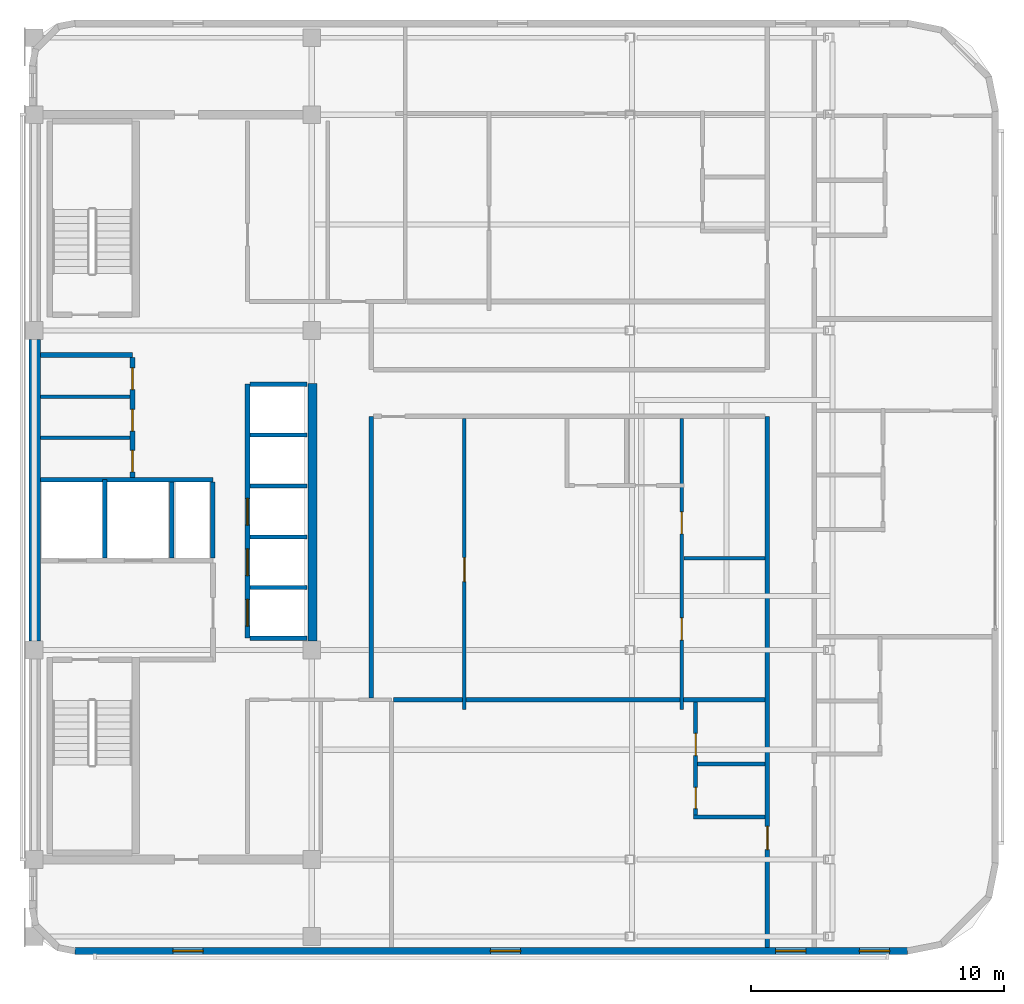
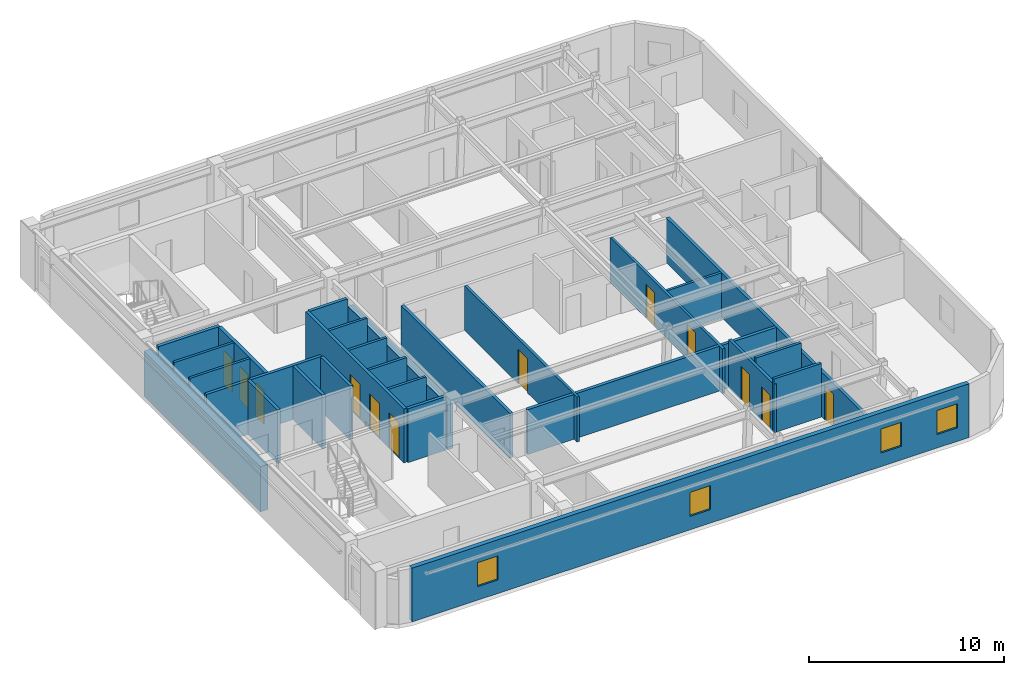
# One storey, part 4 of 10: 27 walls, 12 doors, 4 windows, 16 openings.
"""IFC4 building model written with IfcOpenShell, lengths in metres."""

import ifcopenshell
import ifcopenshell.guid

model = None  # the IFC model being written
_history = None  # IfcOwnerHistory: only IFC2X3 demands one
_inside = {}  # id of a spatial element -> (the spatial element, [elements in it])
_under = {}  # id of a project, library or spatial element -> (it, [spatial elements below it])
_declared = {}  # id of a project -> (the project, [libraries it declares])
_typed = {}  # id of a type object -> (the type object, [elements of that type])
_made_of = {}  # id of a material, layer set ... -> (it, [elements and type objects made of it])


def new_model(schema):
    """Start an empty IFC model of exactly this schema.

    Asked for "IFC4X3", IfcOpenShell would pick the latest addendum, in which some entities
    have other attributes; the version numbers below select the first issue.
    IFC2X3 requires an IfcOwnerHistory on every rooted entity: one is made here for all.
    """
    global model, _history
    if schema == "IFC4X3":
        model = ifcopenshell.file(schema_version=(4, 3, 0, 0))
    else:
        model = ifcopenshell.file(schema=schema)
    _inside.clear()
    _under.clear()
    _declared.clear()
    _typed.clear()
    _made_of.clear()
    _history = None
    if model.schema == "IFC2X3":
        org = make("IfcOrganization", Name="unknown")
        user = make(
            "IfcPersonAndOrganization",
            ThePerson=make("IfcPerson", FamilyName="unknown"),
            TheOrganization=org,
        )
        app = make(
            "IfcApplication",
            ApplicationDeveloper=org,
            Version="unknown",
            ApplicationFullName="unknown",
            ApplicationIdentifier="unknown",
        )
        _history = make(
            "IfcOwnerHistory",
            OwningUser=user,
            OwningApplication=app,
            ChangeAction="ADDED",
            CreationDate=0,
        )
    return model


def make(cls, **values):
    """One entity of the class cls with the attributes given. An attribute that is None is left unset."""
    return model.create_entity(
        cls, **{name: value for name, value in values.items() if value is not None}
    )


def rooted(cls, **values):
    """An entity with a GlobalId (a new one), such as an element, a storey or a relation."""
    return make(cls, GlobalId=ifcopenshell.guid.new(), OwnerHistory=_history, **values)


def si_unit(unit_type, name, prefix=None):
    """IfcSIUnit, for example si_unit("LENGTHUNIT", "METRE", prefix="MILLI")."""
    return make("IfcSIUnit", UnitType=unit_type, Prefix=prefix, Name=name)


def assignment(units):
    """IfcUnitAssignment: the units of a project."""
    return None if units is None else make("IfcUnitAssignment", Units=units)


def point(xyz):
    """IfcCartesianPoint."""
    return None if xyz is None else make("IfcCartesianPoint", Coordinates=xyz)


def direction(xyz):
    """IfcDirection."""
    return None if xyz is None else make("IfcDirection", DirectionRatios=xyz)


def frame(location, z_axis=None, x_axis=None):
    """IfcAxis2Placement3D, a coordinate frame: its origin and axes. An axis left out is left unset."""
    return make(
        "IfcAxis2Placement3D",
        Location=point(location),
        Axis=direction(z_axis),
        RefDirection=direction(x_axis),
    )


def frame_2d(location, x_axis=None):
    """IfcAxis2Placement2D, a coordinate frame in the plane: its origin and x axis."""
    return make(
        "IfcAxis2Placement2D", Location=point(location), RefDirection=direction(x_axis)
    )


def origin():
    """The frame at (0, 0, 0) with its axes left unset."""
    return frame((0.0, 0.0, 0.0))


def place(relative_to, where):
    """IfcLocalPlacement: puts the frame where relative to a parent placement (None: the world)."""
    return make(
        "IfcLocalPlacement", PlacementRelTo=relative_to, RelativePlacement=where
    )


def context(
    kind, dimensions, precision=None, world=None, true_north=None, identifier=None
):
    """IfcGeometricRepresentationContext, for example the 3D "Model" context."""
    return make(
        "IfcGeometricRepresentationContext",
        ContextIdentifier=identifier,
        ContextType=kind,
        CoordinateSpaceDimension=dimensions,
        Precision=precision,
        WorldCoordinateSystem=world,
        TrueNorth=true_north,
    )


def subcontext(parent, identifier, kind, view, scale=None):
    """IfcGeometricRepresentationSubContext, for example "Body" below "Model"."""
    return make(
        "IfcGeometricRepresentationSubContext",
        ContextIdentifier=identifier,
        ContextType=kind,
        ParentContext=parent,
        TargetScale=scale,
        TargetView=view,
    )


def project(units=None, contexts=None):
    """IfcProject with its units and contexts."""
    return rooted(
        "IfcProject",
        Name="project",
        RepresentationContexts=contexts,
        UnitsInContext=assignment(units),
    )


def spatial(cls, under=None, at=None, **own):
    """A site, building, storey or space (cls), placed at a placement, below another one or the project."""
    s = rooted(cls, ObjectPlacement=at, **own)
    if under is not None:
        _under.setdefault(under.id(), (under, []))[1].append(s)
    return s


def profile(cls, at=None, kind="AREA", **sizes):
    """A parametric profile (cls). Its sizes go by their IFC names, for example OverallWidth=200.0."""
    return make(cls, ProfileType=kind, Position=at, **sizes)


def rectangle(**sizes):
    """IfcRectangleProfileDef."""
    return profile("IfcRectangleProfileDef", **sizes)


def extrude(swept, where, along, depth):
    """IfcExtrudedAreaSolid: the profile swept, set in the frame where, extruded along a direction by depth."""
    return make(
        "IfcExtrudedAreaSolid",
        SweptArea=swept,
        Position=where,
        ExtrudedDirection=direction(along),
        Depth=depth,
    )


def shape(context_of_items, identifier, shape_type, items):
    """IfcShapeRepresentation: the items that make up one representation, for example the "Body"."""
    return make(
        "IfcShapeRepresentation",
        ContextOfItems=context_of_items,
        RepresentationIdentifier=identifier,
        RepresentationType=shape_type,
        Items=items,
    )


def material(Name=None, Category=None):
    """IfcMaterial."""
    return make("IfcMaterial", Name=Name, Category=Category)


def layer(
    of_material, thickness, ventilated=None, Name=None, Category=None, Priority=None
):
    """IfcMaterialLayer: one layer of a wall or slab, of a material (None: an air gap)."""
    return make(
        "IfcMaterialLayer",
        Material=of_material,
        LayerThickness=thickness,
        IsVentilated=ventilated,
        Name=Name,
        Category=Category,
        Priority=Priority,
    )


def layer_set(layers, Name=None):
    """IfcMaterialLayerSet."""
    return make("IfcMaterialLayerSet", MaterialLayers=layers, LayerSetName=Name)


def made_of(thing, what):
    """Note that an element or type object is made of a material, layer set ...; save() writes the relation."""
    if what is not None:
        _made_of.setdefault(what.id(), (what, []))[1].append(thing)
    return thing


def type_object(cls, material=None, **own):
    """A type object (cls), such as IfcWallType, which elements share."""
    return made_of(rooted(cls, **own), material)


def element(
    cls,
    number,
    at=None,
    inside=None,
    cuts=None,
    type_object=None,
    material=None,
    context=None,
    identifier="Body",
    shape_type=None,
    held_by="IfcProductDefinitionShape",
    body=None,
    shapes=None,
    **own,
):
    """One element of the class cls, such as IfcWall. Its Tag is "e" and its number.

    at: its placement. inside: the storey or other place that contains it. cuts: it is an
    opening in that element (IfcRelVoidsElement). A single representation is given by context,
    identifier, shape_type and body (its items); several are given by shapes. held_by: the class
    of the entity that holds the representations. save() writes the other relations.
    """
    e = rooted(cls, Tag="e%d" % number, ObjectPlacement=at, **own)
    if body is not None:
        shapes = [shape(context, identifier, shape_type, body)]
    if shapes is not None:
        e.Representation = make(held_by, Representations=shapes)
    if inside is not None:
        _inside.setdefault(inside.id(), (inside, []))[1].append(e)
    if cuts is not None:
        rooted(
            "IfcRelVoidsElement", RelatingBuildingElement=cuts, RelatedOpeningElement=e
        )
    if type_object is not None:
        _typed.setdefault(type_object.id(), (type_object, []))[1].append(e)
    return made_of(e, material)


def fill(opening, filler):
    """IfcRelFillsElement: the door or window that sits in an opening."""
    return rooted(
        "IfcRelFillsElement",
        RelatingOpeningElement=opening,
        RelatedBuildingElement=filler,
    )


def aggregate(whole, parts):
    """IfcRelAggregates: a whole, such as a stair, and the parts it consists of."""
    return rooted("IfcRelAggregates", RelatingObject=whole, RelatedObjects=parts)


def save(model, path):
    """Write the relations noted so far, then the file.

    IfcRelAggregates (storeys below a building ...), IfcRelContainedInSpatialStructure (elements
    in a storey), IfcRelDefinesByType, IfcRelAssociatesMaterial and IfcRelDeclares: one each for
    every whole, place, type object, material and project.
    """
    for whole, parts in _under.values():
        aggregate(whole, parts)
    for where, things in _inside.values():
        rooted(
            "IfcRelContainedInSpatialStructure",
            RelatedElements=things,
            RelatingStructure=where,
        )
    for kind, things in _typed.values():
        rooted("IfcRelDefinesByType", RelatedObjects=things, RelatingType=kind)
    for what, things in _made_of.values():
        rooted("IfcRelAssociatesMaterial", RelatedObjects=things, RelatingMaterial=what)
    for by, libraries in _declared.values():
        rooted("IfcRelDeclares", RelatingContext=by, RelatedDefinitions=libraries)
    model.write(path)


model = new_model("IFC4")

# Units and contexts
model_context = context("Model", 3, precision=1e-05, world=origin(), true_north=direction((0.0, 1.0)))
body_context = subcontext(model_context, "Body", "Model", "MODEL_VIEW")
ifc_project = project(units=[si_unit("LENGTHUNIT", "METRE"), si_unit("AREAUNIT", "SQUARE_METRE"), si_unit("VOLUMEUNIT", "CUBIC_METRE"), si_unit("PLANEANGLEUNIT", "RADIAN"), si_unit("MASSUNIT", "GRAM", prefix="KILO")], contexts=[model_context])

# Site, building, storey
site_placement = place(None, origin())
site = spatial("IfcSite", under=ifc_project, at=site_placement, CompositionType="ELEMENT")
building_placement = place(site_placement, origin())
building = spatial("IfcBuilding", under=site, at=building_placement, Name="Ochreholt Gables", CompositionType="ELEMENT")
storey_placement = place(building_placement, frame((0.0, 0.0, 223.800048828125)))
storey = spatial("IfcBuildingStorey", under=building, at=storey_placement, Name="L58", CompositionType="ELEMENT", Elevation=223.800048828125)

# Walls
ifc_material_1 = material(Name="Concrete 50 MPa", Category="concrete")
ifc_layer_1 = layer(ifc_material_1, 0.35009765625, Name="Concrete 50 MPa")
ifc_layer_set_1 = layer_set([ifc_layer_1], Name="Concrete 50 MPa")
wall_type_1 = type_object("IfcWallType", Name="WALL-CSW-350", PredefinedType="SHEAR", material=ifc_layer_set_1)
wall_1_placement = place(storey_placement, frame((35.22509765625, 17.89990234375, 0.0), z_axis=(0.0, 0.0, 1.0), x_axis=(0.0, 1.0, 0.0)))
element("IfcWall", 1, at=wall_1_placement, inside=storey, type_object=wall_type_1, Name="L58 Core Central-East Shear Wall", PredefinedType="SHEAR", context=body_context, shape_type="SweptSolid", body=[
    extrude(rectangle(XDim=10.2001953125, YDim=0.35009765625, at=frame_2d((5.10009765625, 0.0))), origin(), (0.0, 0.0, 1.0), 2.821044921875),
])
ifc_layer_2 = layer(ifc_material_1, 0.449951171875, Name="Concrete 50 MPa")
ifc_layer_set_2 = layer_set([ifc_layer_2], Name="Concrete 50 MPa")
wall_type_2 = type_object("IfcWallType", Name="WALL-CSW-EXT", PredefinedType="SHEAR", material=ifc_layer_set_2)
wall_2_placement = place(storey_placement, frame((24.22509765625, 17.89990234375, 0.0), z_axis=(0.0, 0.0, 1.0), x_axis=(0.0, 1.0, 0.0)))
element("IfcWall", 2, at=wall_2_placement, inside=storey, type_object=wall_type_2, Name="L58 Core West Shear Wall WM", PredefinedType="SHEAR", context=body_context, shape_type="SweptSolid", body=[
    extrude(rectangle(XDim=11.9501953125, YDim=0.449951171875, at=frame_2d((5.97509765625, 0.0))), origin(), (0.0, 0.0, 1.0), 2.821044921875),
])

# Wall, openings, windows
ifc_material_2 = material(Name="Precast concrete 40 MPa", Category="concrete")
ifc_layer_3 = layer(ifc_material_2, 0.27001953125, Name="Precast concrete 40 MPa")
ifc_layer_set_3 = layer_set([ifc_layer_3], Name="Precast concrete 40 MPa")
wall_type_3 = type_object("IfcWallType", Name="WALL-EXT-270", PredefinedType="SOLIDWALL", material=ifc_layer_set_3)
wall_3_placement = place(storey_placement, frame((25.820068359375, 5.635009765625, 0.0), z_axis=(0.0, 0.0, 1.0), x_axis=(1.0, 0.0, 0.0)))
wall_3 = element("IfcWall", 3, at=wall_3_placement, inside=storey, type_object=wall_type_3, Name="L58 South Exterior Wall", PredefinedType="SOLIDWALL", context=body_context, shape_type="SweptSolid", body=[
    extrude(rectangle(XDim=32.9599609375, YDim=0.27001953125, at=frame_2d((16.47998046875, 0.0))), origin(), (0.0, 0.0, 1.0), 3.35986328125),
])
opening_1_placement = place(wall_3_placement, frame((3.8701171875, 0.0, 0.85009765625)))
opening_1 = element("IfcOpeningElement", 4, at=opening_1_placement, cuts=wall_3, Name="Opening WN-3", PredefinedType="OPENING", context=body_context, shape_type="SweptSolid", body=[
    extrude(rectangle(XDim=1.199951171875, YDim=1.5, at=frame_2d((0.60009765625, 0.75))), frame((0.0, 0.14501953125, 0.0), z_axis=(0.0, -1.0, 0.0), x_axis=(1.0, 0.0, 0.0)), (0.0, 0.0, 1.0), 0.2900390625),
])
opening_2_placement = place(wall_3_placement, frame((16.450927734375, 0.0, 0.85009765625)))
opening_2 = element("IfcOpeningElement", 5, at=opening_2_placement, cuts=wall_3, Name="Opening WN-3", PredefinedType="OPENING", context=body_context, shape_type="SweptSolid", body=[
    extrude(rectangle(XDim=1.199951171875, YDim=1.5, at=frame_2d((0.60009765625, 0.75))), frame((0.0, 0.14501953125, 0.0), z_axis=(0.0, -1.0, 0.0), x_axis=(1.0, 0.0, 0.0)), (0.0, 0.0, 1.0), 0.2900390625),
])
opening_3_placement = place(wall_3_placement, frame((27.74658203125, 0.0, 0.85009765625)))
opening_3 = element("IfcOpeningElement", 6, at=opening_3_placement, cuts=wall_3, Name="Opening WN-3", PredefinedType="OPENING", context=body_context, shape_type="SweptSolid", body=[
    extrude(rectangle(XDim=1.199951171875, YDim=1.5, at=frame_2d((0.60009765625, 0.75))), frame((0.0, 0.14501953125, 0.0), z_axis=(0.0, -1.0, 0.0), x_axis=(1.0, 0.0, 0.0)), (0.0, 0.0, 1.0), 0.2900390625),
])
opening_4_placement = place(wall_3_placement, frame((31.060791015625, 0.0, 0.85009765625)))
opening_4 = element("IfcOpeningElement", 7, at=opening_4_placement, cuts=wall_3, Name="Opening WN-3", PredefinedType="OPENING", context=body_context, shape_type="SweptSolid", body=[
    extrude(rectangle(XDim=1.199951171875, YDim=1.5, at=frame_2d((0.60009765625, 0.75))), frame((0.0, 0.14501953125, 0.0), z_axis=(0.0, -1.0, 0.0), x_axis=(1.0, 0.0, 0.0)), (0.0, 0.0, 1.0), 0.2900390625),
])
ifc_material_3 = material(Name="Triple-Glazed Thermally Broken Aluminium Window", Category="aluminium")
window_type = type_object("IfcWindowType", Name="WIN-RES-1200", PartitioningType="SINGLE_PANEL", PredefinedType="WINDOW", material=ifc_material_3)
window_1_placement = place(opening_1_placement, origin())
window_1 = element("IfcWindow", 8, at=window_1_placement, inside=storey, type_object=window_type, Name="L58 Window W-EXT-S-L58-1", OverallHeight=1.5, OverallWidth=1.199951171875, PartitioningType="SINGLE_PANEL", PredefinedType="WINDOW", context=body_context, shape_type="SweptSolid", body=[
    extrude(rectangle(XDim=1.199951171875, YDim=1.5, at=frame_2d((0.60009765625, 0.75))), frame((0.0, 0.030029296875, 0.0), z_axis=(0.0, -1.0, 0.0), x_axis=(1.0, 0.0, 0.0)), (0.0, 0.0, 1.0), 0.06005859375),
])
fill(opening_1, window_1)
window_2_placement = place(opening_2_placement, origin())
window_2 = element("IfcWindow", 9, at=window_2_placement, inside=storey, type_object=window_type, Name="L58 Window W-EXT-S-L58-2", OverallHeight=1.5, OverallWidth=1.199951171875, PartitioningType="SINGLE_PANEL", PredefinedType="WINDOW", context=body_context, shape_type="SweptSolid", body=[
    extrude(rectangle(XDim=1.199951171875, YDim=1.5, at=frame_2d((0.60009765625, 0.75))), frame((0.0, 0.030029296875, 0.0), z_axis=(0.0, -1.0, 0.0), x_axis=(1.0, 0.0, 0.0)), (0.0, 0.0, 1.0), 0.06005859375),
])
fill(opening_2, window_2)
window_3_placement = place(opening_3_placement, origin())
window_3 = element("IfcWindow", 10, at=window_3_placement, inside=storey, type_object=window_type, Name="L58 Window W-EXT-S-L58-3", OverallHeight=1.5, OverallWidth=1.199951171875, PartitioningType="SINGLE_PANEL", PredefinedType="WINDOW", context=body_context, shape_type="SweptSolid", body=[
    extrude(rectangle(XDim=1.199951171875, YDim=1.5, at=frame_2d((0.60009765625, 0.75))), frame((0.0, 0.030029296875, 0.0), z_axis=(0.0, -1.0, 0.0), x_axis=(1.0, 0.0, 0.0)), (0.0, 0.0, 1.0), 0.06005859375),
])
fill(opening_3, window_3)
window_4_placement = place(opening_4_placement, origin())
window_4 = element("IfcWindow", 11, at=window_4_placement, inside=storey, type_object=window_type, Name="L58 Window W-EXT-S-L58-4", OverallHeight=1.5, OverallWidth=1.199951171875, PartitioningType="SINGLE_PANEL", PredefinedType="WINDOW", context=body_context, shape_type="SweptSolid", body=[
    extrude(rectangle(XDim=1.199951171875, YDim=1.5, at=frame_2d((0.60009765625, 0.75))), frame((0.0, 0.030029296875, 0.0), z_axis=(0.0, -1.0, 0.0), x_axis=(1.0, 0.0, 0.0)), (0.0, 0.0, 1.0), 0.06005859375),
])
fill(opening_4, window_4)

# Wall
ifc_material_4 = material(Name="Concrete 40 MPa", Category="concrete")
ifc_layer_4 = layer(ifc_material_4, 0.199951171875, Name="Concrete 40 MPa")
ifc_layer_set_4 = layer_set([ifc_layer_4], Name="Concrete 40 MPa")
wall_type_4 = type_object("IfcWallType", Name="WALL-INT-CF200", PredefinedType="STANDARD", material=ifc_layer_set_4)
wall_4_placement = place(storey_placement, frame((24.449951171875, 29.239990234375, 0.0), z_axis=(0.0, 0.0, 1.0), x_axis=(1.0, 0.0, 0.0)))
element("IfcWall", 12, at=wall_4_placement, inside=storey, type_object=wall_type_4, Name="L58 Interior Wall WI-SRVN-L58", PredefinedType="STANDARD", context=body_context, shape_type="SweptSolid", body=[
    extrude(rectangle(XDim=3.650146484375, YDim=0.199951171875, at=frame_2d((1.8251953125, 0.0))), origin(), (0.0, 0.0, 1.0), 3.35986328125),
])

# Wall, openings, doors
wall_5_placement = place(storey_placement, frame((28.10009765625, 24.389892578125, 0.0), z_axis=(0.0, 0.0, 1.0), x_axis=(0.0, 1.0, 0.0)))
wall_5 = element("IfcWall", 13, at=wall_5_placement, inside=storey, type_object=wall_type_4, Name="L58 Interior Wall WI-SRVE-L58", PredefinedType="STANDARD", context=body_context, shape_type="SweptSolid", body=[
    extrude(rectangle(XDim=4.75, YDim=0.199951171875, at=frame_2d((2.375, 0.0))), origin(), (0.0, 0.0, 1.0), 3.35986328125),
])
opening_5_placement = place(wall_5_placement, frame((0.2099609375, 0.0, 0.0)))
opening_5 = element("IfcOpeningElement", 14, at=opening_5_placement, cuts=wall_5, Name="Opening D-SV2", PredefinedType="OPENING", context=body_context, shape_type="SweptSolid", body=[
    extrude(rectangle(XDim=0.860107421875, YDim=2.10009765625, at=frame_2d((0.43017578125, 1.050048828125))), frame((0.0, 0.10986328125, 0.0), z_axis=(0.0, -1.0, 0.0), x_axis=(1.0, 0.0, 0.0)), (0.0, 0.0, 1.0), 0.219970703125),
])
opening_6_placement = place(wall_5_placement, frame((1.830078125, 0.0, 0.0)))
opening_6 = element("IfcOpeningElement", 15, at=opening_6_placement, cuts=wall_5, Name="Opening D-SV2", PredefinedType="OPENING", context=body_context, shape_type="SweptSolid", body=[
    extrude(rectangle(XDim=0.860107421875, YDim=2.10009765625, at=frame_2d((0.43017578125, 1.050048828125))), frame((0.0, 0.10986328125, 0.0), z_axis=(0.0, -1.0, 0.0), x_axis=(1.0, 0.0, 0.0)), (0.0, 0.0, 1.0), 0.219970703125),
])
opening_7_placement = place(wall_5_placement, frame((3.469970703125, 0.0, 0.0)))
opening_7 = element("IfcOpeningElement", 16, at=opening_7_placement, cuts=wall_5, Name="Opening D-SV2", PredefinedType="OPENING", context=body_context, shape_type="SweptSolid", body=[
    extrude(rectangle(XDim=0.860107421875, YDim=2.10009765625, at=frame_2d((0.43017578125, 1.050048828125))), frame((0.0, 0.10986328125, 0.0), z_axis=(0.0, -1.0, 0.0), x_axis=(1.0, 0.0, 0.0)), (0.0, 0.0, 1.0), 0.219970703125),
])
ifc_material_5 = material(Name="Hollow Metal Steel", Category="steel")
door_type_1 = type_object("IfcDoorType", Name="DR-INT-SRV860", OperationType="NOTDEFINED", PredefinedType="DOOR", material=ifc_material_5)
door_1_placement = place(opening_5_placement, origin())
door_1 = element("IfcDoor", 17, at=door_1_placement, inside=storey, type_object=door_type_1, Name="L58 Door D-SRV1-L58", OperationType="SINGLE_SWING_LEFT", OverallHeight=2.10009765625, OverallWidth=0.860107421875, PredefinedType="DOOR", context=body_context, shape_type="SweptSolid", body=[
    extrude(rectangle(XDim=0.860107421875, YDim=2.10009765625, at=frame_2d((0.43017578125, 1.050048828125))), frame((0.0, 0.02490234375, 0.0), z_axis=(0.0, -1.0, 0.0), x_axis=(1.0, 0.0, 0.0)), (0.0, 0.0, 1.0), 0.050048828125),
])
fill(opening_5, door_1)
door_2_placement = place(opening_6_placement, origin())
door_2 = element("IfcDoor", 18, at=door_2_placement, inside=storey, type_object=door_type_1, Name="L58 Door D-SRV2-L58", OperationType="SINGLE_SWING_RIGHT", OverallHeight=2.10009765625, OverallWidth=0.860107421875, PredefinedType="DOOR", context=body_context, shape_type="SweptSolid", body=[
    extrude(rectangle(XDim=0.860107421875, YDim=2.10009765625, at=frame_2d((0.43017578125, 1.050048828125))), frame((0.0, 0.02490234375, 0.0), z_axis=(0.0, -1.0, 0.0), x_axis=(1.0, 0.0, 0.0)), (0.0, 0.0, 1.0), 0.050048828125),
])
fill(opening_6, door_2)
door_3_placement = place(opening_7_placement, origin())
door_3 = element("IfcDoor", 19, at=door_3_placement, inside=storey, type_object=door_type_1, Name="L58 Door D-SRV3-L58", OperationType="SINGLE_SWING_LEFT", OverallHeight=2.10009765625, OverallWidth=0.860107421875, PredefinedType="DOOR", context=body_context, shape_type="SweptSolid", body=[
    extrude(rectangle(XDim=0.860107421875, YDim=2.10009765625, at=frame_2d((0.43017578125, 1.050048828125))), frame((0.0, 0.02490234375, 0.0), z_axis=(0.0, -1.0, 0.0), x_axis=(1.0, 0.0, 0.0)), (0.0, 0.0, 1.0), 0.050048828125),
])
fill(opening_7, door_3)

# Wall
ifc_material_6 = material(Name="Fire-Rated Gypsum Acoustic Partition", Category="gypsum")
ifc_layer_5 = layer(ifc_material_6, 0.179931640625, Name="Fire-Rated Gypsum Acoustic Partition")
ifc_layer_set_5 = layer_set([ifc_layer_5], Name="Fire-Rated Gypsum Acoustic Partition")
wall_type_5 = type_object("IfcWallType", Name="WALL-INT-CR180", PredefinedType="STANDARD", material=ifc_layer_set_5)
wall_6_placement = place(storey_placement, frame((37.550048828125, 15.652587890625, 0.0), z_axis=(0.0, 0.0, 1.0), x_axis=(0.0, 1.0, 0.0)))
element("IfcWall", 20, at=wall_6_placement, inside=storey, type_object=wall_type_5, Name="L58 Interior Wall WI-C3CE0-L58", PredefinedType="STANDARD", context=body_context, shape_type="SweptSolid", body=[
    extrude(rectangle(XDim=11.1474609375, YDim=0.179931640625, at=frame_2d((5.57373046875, 0.0))), origin(), (0.0, 0.0, 1.0), 2.802978515625),
])

# Wall, opening, door
wall_7_placement = place(storey_placement, frame((53.24169921875, 5.77001953125, 0.0), z_axis=(0.0, 0.0, 1.0), x_axis=(0.0, 1.0, 0.0)))
wall_7 = element("IfcWall", 21, at=wall_7_placement, inside=storey, type_object=wall_type_5, Name="L58 Interior Wall WI-C3GW0-L58", PredefinedType="STANDARD", context=body_context, shape_type="SweptSolid", body=[
    extrude(rectangle(XDim=21.030029296875, YDim=0.179931640625, at=frame_2d((10.51513671875, 0.0))), origin(), (0.0, 0.0, 1.0), 2.802978515625),
])
opening_8_placement = place(wall_7_placement, frame((3.8701171875, 0.0, 0.0)))
opening_8 = element("IfcOpeningElement", 22, at=opening_8_placement, cuts=wall_7, Name="Opening D-UN1", PredefinedType="OPENING", context=body_context, shape_type="SweptSolid", body=[
    extrude(rectangle(XDim=0.919921875, YDim=2.14990234375, at=frame_2d((0.4599609375, 1.074951171875))), frame((0.0, 0.099853515625, 0.0), z_axis=(0.0, -1.0, 0.0), x_axis=(1.0, 0.0, 0.0)), (0.0, 0.0, 1.0), 0.199951171875),
])
ifc_material_7 = material(Name="Engineered Oak Timber", Category="wood")
door_type_2 = type_object("IfcDoorType", Name="DR-INT-UNT920", OperationType="NOTDEFINED", PredefinedType="DOOR", material=ifc_material_7)
door_4_placement = place(opening_8_placement, origin())
door_4 = element("IfcDoor", 23, at=door_4_placement, inside=storey, type_object=door_type_2, Name="L58 Door D-U-L58SM1-ENT", OperationType="SINGLE_SWING_LEFT", OverallHeight=2.14990234375, OverallWidth=0.919921875, PredefinedType="DOOR", context=body_context, shape_type="SweptSolid", body=[
    extrude(rectangle(XDim=0.919921875, YDim=2.14990234375, at=frame_2d((0.4599609375, 1.074951171875))), frame((0.0, 0.02490234375, 0.0), z_axis=(0.0, -1.0, 0.0), x_axis=(1.0, 0.0, 0.0)), (0.0, 0.0, 1.0), 0.050048828125),
])
fill(opening_8, door_4)

# Walls
ifc_material_8 = material(Name="Double-Stud Acoustic Demising Wall", Category="gypsum")
ifc_layer_6 = layer(ifc_material_8, 0.18505859375, Name="Double-Stud Acoustic Demising Wall")
ifc_layer_set_6 = layer_set([ifc_layer_6], Name="Double-Stud Acoustic Demising Wall")
wall_type_6 = type_object("IfcWallType", Name="WALL-INT-DM185", PredefinedType="PARTITIONING", material=ifc_layer_set_6)
wall_8_placement = place(storey_placement, frame((38.422607421875, 15.580078125, 0.0), z_axis=(0.0, 0.0, 1.0), x_axis=(1.0, 0.0, 0.0)))
element("IfcWall", 24, at=wall_8_placement, inside=storey, type_object=wall_type_6, Name="L58 Interior Wall WI-C3SMY-L58", PredefinedType="PARTITIONING", context=body_context, shape_type="SweptSolid", body=[
    extrude(rectangle(XDim=14.72900390625, YDim=0.18505859375, at=frame_2d((7.364501953125, 0.0))), origin(), (0.0, 0.0, 1.0), 2.802978515625),
])
ifc_material_9 = material(Name="Moisture-Resistant Plumbing Chase Wall", Category="gypsum")
ifc_layer_7 = layer(ifc_material_9, 0.159912109375, Name="Moisture-Resistant Plumbing Chase Wall")
ifc_layer_set_7 = layer_set([ifc_layer_7], Name="Moisture-Resistant Plumbing Chase Wall")
wall_type_7 = type_object("IfcWallType", Name="WALL-INT-PL160", PredefinedType="PLUMBINGWALL", material=ifc_layer_set_7)
wall_9_placement = place(storey_placement, frame((50.317626953125, 10.93994140625, 0.0), z_axis=(0.0, 0.0, 1.0), x_axis=(1.0, 0.0, 0.0)))
element("IfcWall", 25, at=wall_9_placement, inside=storey, type_object=wall_type_7, Name="L58 Interior Wall WU-L58SM1-WYS", PredefinedType="PLUMBINGWALL", context=body_context, shape_type="SweptSolid", body=[
    extrude(rectangle(XDim=2.833984375, YDim=0.159912109375, at=frame_2d((1.4169921875, 0.0))), origin(), (0.0, 0.0, 1.0), 3.35986328125),
])

# Wall, openings, doors
wall_10_placement = place(storey_placement, frame((50.397705078125, 10.85009765625, 0.0), z_axis=(0.0, 0.0, 1.0), x_axis=(0.0, 1.0, 0.0)))
wall_10 = element("IfcWall", 26, at=wall_10_placement, inside=storey, type_object=wall_type_7, Name="L58 Interior Wall WU-L58SM1-WX", PredefinedType="PLUMBINGWALL", context=body_context, shape_type="SweptSolid", body=[
    extrude(rectangle(XDim=4.637451171875, YDim=0.159912109375, at=frame_2d((2.31884765625, 0.0))), origin(), (0.0, 0.0, 1.0), 3.0390625),
])
opening_9_placement = place(wall_10_placement, frame((0.419921875, 0.0, 0.0)))
opening_9 = element("IfcOpeningElement", 27, at=opening_9_placement, cuts=wall_10, Name="Opening D-BT2", PredefinedType="OPENING", context=body_context, shape_type="SweptSolid", body=[
    extrude(rectangle(XDim=0.840087890625, YDim=2.1201171875, at=frame_2d((0.419921875, 1.06005859375))), frame((0.0, 0.08984375, 0.0), z_axis=(0.0, -1.0, 0.0), x_axis=(1.0, 0.0, 0.0)), (0.0, 0.0, 1.0), 0.179931640625),
])
opening_10_placement = place(wall_10_placement, frame((2.512939453125, 0.0, 0.0)))
opening_10 = element("IfcOpeningElement", 28, at=opening_10_placement, cuts=wall_10, Name="Opening D-GN2", PredefinedType="OPENING", context=body_context, shape_type="SweptSolid", body=[
    extrude(rectangle(XDim=0.8798828125, YDim=2.1201171875, at=frame_2d((0.43994140625, 1.06005859375))), frame((0.0, 0.08984375, 0.0), z_axis=(0.0, -1.0, 0.0), x_axis=(1.0, 0.0, 0.0)), (0.0, 0.0, 1.0), 0.179931640625),
])
door_type_3 = type_object("IfcDoorType", Name="DR-INT-BTH840", OperationType="NOTDEFINED", PredefinedType="DOOR", material=ifc_material_7)
door_5_placement = place(opening_9_placement, origin())
door_5 = element("IfcDoor", 29, at=door_5_placement, inside=storey, type_object=door_type_3, Name="L58 Door D-U-L58SM1-BTH", OperationType="SINGLE_SWING_RIGHT", OverallHeight=2.1201171875, OverallWidth=0.840087890625, PredefinedType="DOOR", context=body_context, shape_type="SweptSolid", body=[
    extrude(rectangle(XDim=0.840087890625, YDim=2.1201171875, at=frame_2d((0.419921875, 1.06005859375))), frame((0.0, 0.02490234375, 0.0), z_axis=(0.0, -1.0, 0.0), x_axis=(1.0, 0.0, 0.0)), (0.0, 0.0, 1.0), 0.050048828125),
])
fill(opening_9, door_5)
door_type_4 = type_object("IfcDoorType", Name="DR-INT-GEN880", OperationType="NOTDEFINED", PredefinedType="DOOR", material=ifc_material_7)
door_6_placement = place(opening_10_placement, origin())
door_6 = element("IfcDoor", 30, at=door_6_placement, inside=storey, type_object=door_type_4, Name="L58 Door D-U-L58SM1-KIT", OperationType="SINGLE_SWING_LEFT", OverallHeight=2.1201171875, OverallWidth=0.8798828125, PredefinedType="DOOR", context=body_context, shape_type="SweptSolid", body=[
    extrude(rectangle(XDim=0.8798828125, YDim=2.1201171875, at=frame_2d((0.43994140625, 1.06005859375))), frame((0.0, 0.02490234375, 0.0), z_axis=(0.0, -1.0, 0.0), x_axis=(1.0, 0.0, 0.0)), (0.0, 0.0, 1.0), 0.050048828125),
])
fill(opening_10, door_6)

# Walls
wall_11_placement = place(storey_placement, frame((50.4775390625, 13.032958984375, 0.0), z_axis=(0.0, 0.0, 1.0), x_axis=(1.0, 0.0, 0.0)))
element("IfcWall", 31, at=wall_11_placement, inside=storey, type_object=wall_type_7, Name="L58 Interior Wall WU-L58SM1-WM", PredefinedType="PLUMBINGWALL", context=body_context, shape_type="SweptSolid", body=[
    extrude(rectangle(XDim=2.674072265625, YDim=0.159912109375, at=frame_2d((1.3369140625, 0.0))), origin(), (0.0, 0.0, 1.0), 3.35986328125),
])
ifc_material_10 = material(Name="Lightweight Stud Partition", Category="gypsum")
ifc_layer_8 = layer(ifc_material_10, 0.14501953125, Name="Lightweight Stud Partition")
ifc_layer_set_8 = layer_set([ifc_layer_8], Name="Lightweight Stud Partition")
wall_type_8 = type_object("IfcWallType", Name="WALL-INT-PT145", PredefinedType="PARTITIONING", material=ifc_layer_set_8)
for number, where, z_axis, x_axis, name in (
    (32, (24.449951171875, 25.949951171875, 0.0), (0.0, 0.0, 1.0), (1.0, 0.0, 0.0), "L58 Interior Wall WI-SRVP1-L58"),
    (33, (24.449951171875, 27.580078125, 0.0), (0.0, 0.0, 1.0), (1.0, 0.0, 0.0), "L58 Interior Wall WI-SRVP2-L58"),
):
    element("IfcWall", number, at=place(storey_placement, frame(where, z_axis=z_axis, x_axis=x_axis)), inside=storey, type_object=wall_type_8, Name=name, PredefinedType="PARTITIONING", context=body_context, shape_type="SweptSolid", body=[
        extrude(rectangle(XDim=3.550048828125, YDim=0.14501953125, at=frame_2d((1.77490234375, 0.0))), origin(), (0.0, 0.0, 1.0), 3.35986328125),
    ])

# Wall, openings, doors
wall_12_placement = place(storey_placement, frame((49.8515625, 15.18994140625, 0.0), z_axis=(0.0, 0.0, 1.0), x_axis=(0.0, 1.0, 0.0)))
wall_12 = element("IfcWall", 34, at=wall_12_placement, inside=storey, type_object=wall_type_8, Name="L58 Interior Wall WU-L58SM2-MNX", PredefinedType="PARTITIONING", context=body_context, shape_type="SweptSolid", body=[
    extrude(rectangle(XDim=11.52001953125, YDim=0.14501953125, at=frame_2d((5.760009765625, 0.0))), origin(), (0.0, 0.0, 1.0), 2.802978515625),
])
opening_11_placement = place(wall_12_placement, frame((2.7548828125, 0.0, 0.0)))
opening_11 = element("IfcOpeningElement", 35, at=opening_11_placement, cuts=wall_12, Name="Opening D-BD2", PredefinedType="OPENING", context=body_context, shape_type="SweptSolid", body=[
    extrude(rectangle(XDim=0.8798828125, YDim=2.139892578125, at=frame_2d((0.43994140625, 1.06982421875))), frame((0.0, 0.08251953125, 0.0), z_axis=(0.0, -1.0, 0.0), x_axis=(1.0, 0.0, 0.0)), (0.0, 0.0, 1.0), 0.1650390625),
])
opening_12_placement = place(wall_12_placement, frame((6.955078125, 0.0, 0.0)))
opening_12 = element("IfcOpeningElement", 36, at=opening_12_placement, cuts=wall_12, Name="Opening D-GN2", PredefinedType="OPENING", context=body_context, shape_type="SweptSolid", body=[
    extrude(rectangle(XDim=0.8798828125, YDim=2.1201171875, at=frame_2d((0.43994140625, 1.06005859375))), frame((0.0, 0.08251953125, 0.0), z_axis=(0.0, -1.0, 0.0), x_axis=(1.0, 0.0, 0.0)), (0.0, 0.0, 1.0), 0.1650390625),
])
door_type_5 = type_object("IfcDoorType", Name="DR-INT-BED880", OperationType="NOTDEFINED", PredefinedType="DOOR", material=ifc_material_7)
door_7_placement = place(opening_11_placement, origin())
door_7 = element("IfcDoor", 37, at=door_7_placement, inside=storey, type_object=door_type_5, Name="L58 Door D-U-L58SM2-BD1", OperationType="SINGLE_SWING_LEFT", OverallHeight=2.139892578125, OverallWidth=0.8798828125, PredefinedType="DOOR", context=body_context, shape_type="SweptSolid", body=[
    extrude(rectangle(XDim=0.8798828125, YDim=2.139892578125, at=frame_2d((0.43994140625, 1.06982421875))), frame((0.0, 0.02490234375, 0.0), z_axis=(0.0, -1.0, 0.0), x_axis=(1.0, 0.0, 0.0)), (0.0, 0.0, 1.0), 0.050048828125),
])
fill(opening_11, door_7)
door_8_placement = place(opening_12_placement, origin())
door_8 = element("IfcDoor", 38, at=door_8_placement, inside=storey, type_object=door_type_4, Name="L58 Door D-U-L58SM2-BD2", OperationType="SINGLE_SWING_RIGHT", OverallHeight=2.1201171875, OverallWidth=0.8798828125, PredefinedType="DOOR", context=body_context, shape_type="SweptSolid", body=[
    extrude(rectangle(XDim=0.8798828125, YDim=2.1201171875, at=frame_2d((0.43994140625, 1.06005859375))), frame((0.0, 0.02490234375, 0.0), z_axis=(0.0, -1.0, 0.0), x_axis=(1.0, 0.0, 0.0)), (0.0, 0.0, 1.0), 0.050048828125),
])
fill(opening_12, door_8)

# Wall, opening, door
wall_13_placement = place(storey_placement, frame((41.239990234375, 15.18994140625, 0.0), z_axis=(0.0, 0.0, 1.0), x_axis=(0.0, 1.0, 0.0)))
wall_13 = element("IfcWall", 39, at=wall_13_placement, inside=storey, type_object=wall_type_8, Name="L58 Interior Wall WU-L58SM2-DNX", PredefinedType="PARTITIONING", context=body_context, shape_type="SweptSolid", body=[
    extrude(rectangle(XDim=11.52001953125, YDim=0.14501953125, at=frame_2d((5.760009765625, 0.0))), origin(), (0.0, 0.0, 1.0), 2.802978515625),
])
opening_13_placement = place(wall_13_placement, frame((5.070068359375, 0.0, 0.0)))
opening_13 = element("IfcOpeningElement", 40, at=opening_13_placement, cuts=wall_13, Name="Opening D-GN1", PredefinedType="OPENING", context=body_context, shape_type="SweptSolid", body=[
    extrude(rectangle(XDim=0.949951171875, YDim=2.14990234375, at=frame_2d((0.47509765625, 1.074951171875))), frame((0.0, 0.08251953125, 0.0), z_axis=(0.0, -1.0, 0.0), x_axis=(1.0, 0.0, 0.0)), (0.0, 0.0, 1.0), 0.1650390625),
])
door_type_6 = type_object("IfcDoorType", Name="DR-INT-GEN950", OperationType="NOTDEFINED", PredefinedType="DOOR", material=ifc_material_7)
door_9_placement = place(opening_13_placement, origin())
door_9 = element("IfcDoor", 41, at=door_9_placement, inside=storey, type_object=door_type_6, Name="L58 Door D-U-L58SM2-DIN", OperationType="SINGLE_SWING_RIGHT", OverallHeight=2.14990234375, OverallWidth=0.949951171875, PredefinedType="DOOR", context=body_context, shape_type="SweptSolid", body=[
    extrude(rectangle(XDim=0.949951171875, YDim=2.14990234375, at=frame_2d((0.47509765625, 1.074951171875))), frame((0.0, 0.02490234375, 0.0), z_axis=(0.0, -1.0, 0.0), x_axis=(1.0, 0.0, 0.0)), (0.0, 0.0, 1.0), 0.050048828125),
])
fill(opening_13, door_9)

# Walls
wall_14_placement = place(storey_placement, frame((49.931640625, 21.18994140625, 0.0), z_axis=(0.0, 0.0, 1.0), x_axis=(1.0, 0.0, 0.0)))
element("IfcWall", 42, at=wall_14_placement, inside=storey, type_object=wall_type_8, Name="L58 Interior Wall WU-L58SM2-RDV", PredefinedType="PARTITIONING", context=body_context, shape_type="SweptSolid", body=[
    extrude(rectangle(XDim=3.219970703125, YDim=0.14501953125, at=frame_2d((1.60986328125, 0.0))), origin(), (0.0, 0.0, 1.0), 2.802978515625),
])
ifc_material_11 = material(Name="Gypsum Shaftliner and Steel Stud", Category="steel")
ifc_layer_9 = layer(ifc_material_11, 0.14990234375, Name="Gypsum Shaftliner and Steel Stud")
ifc_layer_set_9 = layer_set([ifc_layer_9], Name="Gypsum Shaftliner and Steel Stud")
wall_type_9 = type_object("IfcWallType", Name="WALL-INT-SH150", PredefinedType="STANDARD", material=ifc_layer_set_9)
for number, where, z_axis, x_axis, name in (
    (43, (32.739990234375, 20.02001953125, 0.0), (0.0, 0.0, 1.0), (1.0, 0.0, 0.0), "L58 Interior Wall WI-LFHE-DH1-L58"),
    (44, (32.739990234375, 22.02001953125, 0.0), (0.0, 0.0, 1.0), (1.0, 0.0, 0.0), "L58 Interior Wall WI-LFHE-DH2-L58"),
    (45, (32.739990234375, 24.050048828125, 0.0), (0.0, 0.0, 1.0), (1.0, 0.0, 0.0), "L58 Interior Wall WI-LFHE-DHE-L58"),
    (46, (32.739990234375, 26.070068359375, 0.0), (0.0, 0.0, 1.0), (1.0, 0.0, 0.0), "L58 Interior Wall WI-LFHE-DEX1-L58"),
):
    element("IfcWall", number, at=place(storey_placement, frame(where, z_axis=z_axis, x_axis=x_axis)), inside=storey, type_object=wall_type_9, Name=name, PredefinedType="STANDARD", context=body_context, shape_type="SweptSolid", body=[
        extrude(rectangle(XDim=2.260009765625, YDim=0.14990234375, at=frame_2d((1.1298828125, 0.0))), origin(), (0.0, 0.0, 1.0), 3.35986328125),
    ])
ifc_layer_10 = layer(ifc_material_11, 0.179931640625, Name="Gypsum Shaftliner and Steel Stud")
ifc_layer_set_10 = layer_set([ifc_layer_10], Name="Gypsum Shaftliner and Steel Stud")
wall_type_10 = type_object("IfcWallType", Name="WALL-INT-SH180", PredefinedType="STANDARD", material=ifc_layer_set_10)
wall_15_placement = place(storey_placement, frame((27.0, 21.18994140625, 0.0), z_axis=(0.0, 0.0, 1.0), x_axis=(0.0, 1.0, 0.0)))
element("IfcWall", 47, at=wall_15_placement, inside=storey, type_object=wall_type_10, Name="L58 Interior Wall WI-FFDIV-L58", PredefinedType="STANDARD", context=body_context, shape_type="SweptSolid", body=[
    extrude(rectangle(XDim=3.110107421875, YDim=0.179931640625, at=frame_2d((1.55517578125, 0.0))), origin(), (0.0, 0.0, 1.0), 3.35986328125),
])
wall_16_placement = place(storey_placement, frame((24.449951171875, 24.300048828125, 0.0), z_axis=(0.0, 0.0, 1.0), x_axis=(1.0, 0.0, 0.0)))
element("IfcWall", 48, at=wall_16_placement, inside=storey, type_object=wall_type_10, Name="L58 Interior Wall WI-FFBK-L58", PredefinedType="STANDARD", context=body_context, shape_type="SweptSolid", body=[
    extrude(rectangle(XDim=6.830078125, YDim=0.179931640625, at=frame_2d((3.4150390625, 0.0))), origin(), (0.0, 0.0, 1.0), 3.35986328125),
])
for number, where, z_axis, x_axis, name in (
    (49, (29.64990234375, 21.18994140625, 0.0), (0.0, 0.0, 1.0), (0.0, 1.0, 0.0), "L58 Interior Wall WI-FFSH-L58"),
    (50, (31.280029296875, 21.18994140625, 0.0), (0.0, 0.0, 1.0), (0.0, 1.0, 0.0), "L58 Interior Wall WI-RSE-L58"),
):
    element("IfcWall", number, at=place(storey_placement, frame(where, z_axis=z_axis, x_axis=x_axis)), inside=storey, type_object=wall_type_10, Name=name, PredefinedType="STANDARD", context=body_context, shape_type="SweptSolid", body=[
        extrude(rectangle(XDim=3.02001953125, YDim=0.179931640625, at=frame_2d((1.510009765625, 0.0))), origin(), (0.0, 0.0, 1.0), 3.35986328125),
    ])

# Wall, openings, doors
wall_17_placement = place(storey_placement, frame((32.64990234375, 18.02001953125, 0.0), z_axis=(0.0, 0.0, 1.0), x_axis=(0.0, 1.0, 0.0)))
wall_17 = element("IfcWall", 51, at=wall_17_placement, inside=storey, type_object=wall_type_10, Name="L58 Interior Wall WI-LFHE-FR-L58", PredefinedType="STANDARD", context=body_context, shape_type="SweptSolid", body=[
    extrude(rectangle(XDim=10.06005859375, YDim=0.179931640625, at=frame_2d((5.030029296875, 0.0))), origin(), (0.0, 0.0, 1.0), 3.35986328125),
])
opening_14_placement = place(wall_17_placement, frame((0.47998046875, 0.0, 0.0)))
opening_14 = element("IfcOpeningElement", 52, at=opening_14_placement, cuts=wall_17, Name="Opening LD-PX", PredefinedType="OPENING", context=body_context, shape_type="SweptSolid", body=[
    extrude(rectangle(XDim=1.050048828125, YDim=2.199951171875, at=frame_2d((0.52490234375, 1.10009765625))), frame((0.0, 0.099853515625, 0.0), z_axis=(0.0, -1.0, 0.0), x_axis=(1.0, 0.0, 0.0)), (0.0, 0.0, 1.0), 0.199951171875),
])
opening_15_placement = place(wall_17_placement, frame((2.47998046875, 0.0, 0.0)))
opening_15 = element("IfcOpeningElement", 53, at=opening_15_placement, cuts=wall_17, Name="Opening LD-PX", PredefinedType="OPENING", context=body_context, shape_type="SweptSolid", body=[
    extrude(rectangle(XDim=1.050048828125, YDim=2.199951171875, at=frame_2d((0.52490234375, 1.10009765625))), frame((0.0, 0.099853515625, 0.0), z_axis=(0.0, -1.0, 0.0), x_axis=(1.0, 0.0, 0.0)), (0.0, 0.0, 1.0), 0.199951171875),
])
opening_16_placement = place(wall_17_placement, frame((4.47998046875, 0.0, 0.0)))
opening_16 = element("IfcOpeningElement", 54, at=opening_16_placement, cuts=wall_17, Name="Opening LD-PX", PredefinedType="OPENING", context=body_context, shape_type="SweptSolid", body=[
    extrude(rectangle(XDim=1.050048828125, YDim=2.199951171875, at=frame_2d((0.52490234375, 1.10009765625))), frame((0.0, 0.099853515625, 0.0), z_axis=(0.0, -1.0, 0.0), x_axis=(1.0, 0.0, 0.0)), (0.0, 0.0, 1.0), 0.199951171875),
])
ifc_material_12 = material(Name="Stainless Steel", Category="steel")
door_type_7 = type_object("IfcDoorType", Name="DR-LFT-PX1050", OperationType="NOTDEFINED", PredefinedType="DOOR", material=ifc_material_12)
door_10_placement = place(opening_14_placement, origin())
door_10 = element("IfcDoor", 55, at=door_10_placement, inside=storey, type_object=door_type_7, Name="L58 Door LD-LF-H1-L58", OperationType="SLIDING_TO_LEFT", OverallHeight=2.199951171875, OverallWidth=1.050048828125, PredefinedType="DOOR", context=body_context, shape_type="SweptSolid", body=[
    extrude(rectangle(XDim=1.050048828125, YDim=2.199951171875, at=frame_2d((0.52490234375, 1.10009765625))), frame((0.0, 0.02490234375, 0.0), z_axis=(0.0, -1.0, 0.0), x_axis=(1.0, 0.0, 0.0)), (0.0, 0.0, 1.0), 0.050048828125),
])
fill(opening_14, door_10)
door_11_placement = place(opening_15_placement, origin())
door_11 = element("IfcDoor", 56, at=door_11_placement, inside=storey, type_object=door_type_7, Name="L58 Door LD-LF-H2-L58", OperationType="SLIDING_TO_LEFT", OverallHeight=2.199951171875, OverallWidth=1.050048828125, PredefinedType="DOOR", context=body_context, shape_type="SweptSolid", body=[
    extrude(rectangle(XDim=1.050048828125, YDim=2.199951171875, at=frame_2d((0.52490234375, 1.10009765625))), frame((0.0, 0.02490234375, 0.0), z_axis=(0.0, -1.0, 0.0), x_axis=(1.0, 0.0, 0.0)), (0.0, 0.0, 1.0), 0.050048828125),
])
fill(opening_15, door_11)
door_12_placement = place(opening_16_placement, origin())
door_12 = element("IfcDoor", 57, at=door_12_placement, inside=storey, type_object=door_type_7, Name="L58 Door LD-LF-H3-L58", OperationType="SLIDING_TO_LEFT", OverallHeight=2.199951171875, OverallWidth=1.050048828125, PredefinedType="DOOR", context=body_context, shape_type="SweptSolid", body=[
    extrude(rectangle(XDim=1.050048828125, YDim=2.199951171875, at=frame_2d((0.52490234375, 1.10009765625))), frame((0.0, 0.02490234375, 0.0), z_axis=(0.0, -1.0, 0.0), x_axis=(1.0, 0.0, 0.0)), (0.0, 0.0, 1.0), 0.050048828125),
])
fill(opening_16, door_12)

# Walls
for number, where, z_axis, x_axis, name in (
    (58, (32.739990234375, 18.02001953125, 0.0), (0.0, 0.0, 1.0), (1.0, 0.0, 0.0), "L58 Interior Wall WI-LFHE-S-L58"),
    (59, (32.739990234375, 28.080078125, 0.0), (0.0, 0.0, 1.0), (1.0, 0.0, 0.0), "L58 Interior Wall WI-LFHE-N-L58"),
):
    element("IfcWall", number, at=place(storey_placement, frame(where, z_axis=z_axis, x_axis=x_axis)), inside=storey, type_object=wall_type_10, Name=name, PredefinedType="STANDARD", context=body_context, shape_type="SweptSolid", body=[
        extrude(rectangle(XDim=2.260009765625, YDim=0.179931640625, at=frame_2d((1.1298828125, 0.0))), origin(), (0.0, 0.0, 1.0), 3.35986328125),
    ])

save(model, "model.ifc")
